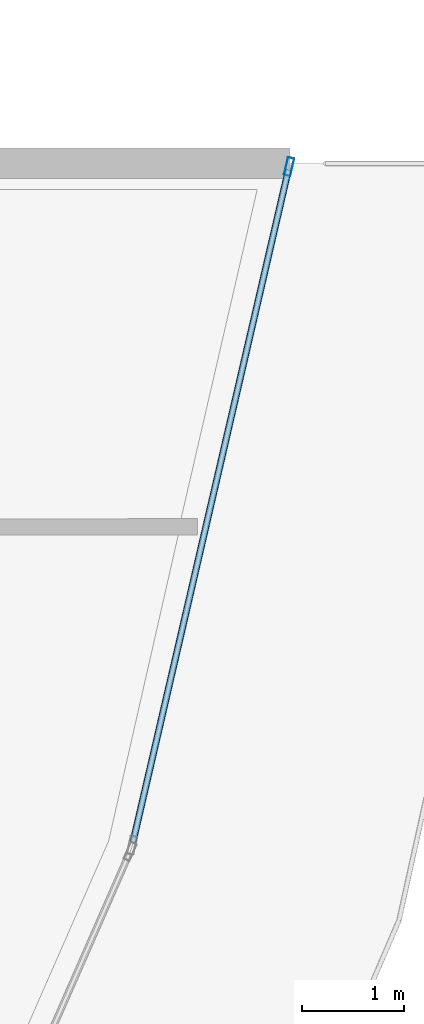
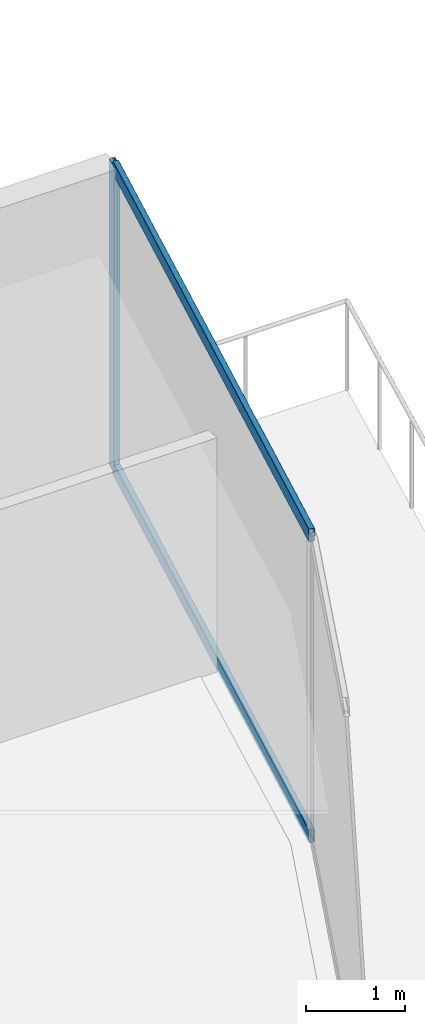
# One storey, part 24 of 42: 3 members, 1 element without a shape of its own.
"""IFC4 building model written with IfcOpenShell, lengths in metres."""

from ifc_helpers import new_model, si_unit, direction, frame, origin, origin_2d, place, context, subcontext, project, spatial, hollow_rectangle, extrude, material, layer, layer_set, material_profile, profile_set, type_object, element, aggregate, save


model = new_model("IFC4")

# Units and contexts
model_context = context("Model", 3, precision=1e-05, world=origin(), true_north=direction((0.0, 1.0)))
body_context = subcontext(model_context, "Body", "Model", "MODEL_VIEW")
ifc_project = project(units=[si_unit("LENGTHUNIT", "METRE"), si_unit("AREAUNIT", "SQUARE_METRE"), si_unit("VOLUMEUNIT", "CUBIC_METRE"), si_unit("PLANEANGLEUNIT", "RADIAN"), si_unit("MASSUNIT", "GRAM", prefix="KILO")], contexts=[model_context])

# Site, building, storey
site_placement = place(None, origin())
site = spatial("IfcSite", under=ifc_project, at=site_placement, CompositionType="ELEMENT")
building_placement = place(site_placement, origin())
building = spatial("IfcBuilding", under=site, at=building_placement, Name="Qorvath Tower", CompositionType="ELEMENT")
storey_placement = place(building_placement, frame((0.0, 0.0, 117.89990234375)))
storey = spatial("IfcBuildingStorey", under=building, at=storey_placement, Name="L26", CompositionType="ELEMENT", Elevation=117.89990234375)

# Curtain wall, members
ifc_material_1 = material(Name="Anodised aluminium and triple low-E glass", Category="aluminium")
ifc_layer = layer(ifc_material_1, 0.179931640625)
ifc_layer_set = layer_set([ifc_layer], Name="CW-SYS-2")
curtain_wall_type = type_object("IfcCurtainWallType", Name="CW-SYS-2", PredefinedType="NOTDEFINED", material=ifc_layer_set)
curtain_wall_placement = place(storey_placement, origin())
curtain_wall = element("IfcCurtainWall", 1, at=curtain_wall_placement, inside=storey, type_object=curtain_wall_type, Name="Curtain Wall CW-2 CW-T-L26-7.1", PredefinedType="NOTDEFINED")
ifc_material_2 = material(Name="Anodised aluminium 6063-T6", Category="aluminium")
ifc_material_profile_1 = material_profile(ifc_material_2, hollow_rectangle(XDim=0.06494140625, YDim=0.179931640625, WallThickness=0.00341796875, InnerFilletRadius=0.00341796875, OuterFilletRadius=0.007080078125, at=origin_2d()), Name="CWM 180x65")
ifc_profile_set_1 = profile_set([ifc_material_profile_1], Name="Anodised aluminium 6063-T6")
member_type_1 = type_object("IfcMemberType", Name="CWM-180", PredefinedType="MULLION", material=ifc_profile_set_1)
member_1_placement = place(storey_placement, frame((4.691650390625, -4.999755859375, 0.0), z_axis=(0.0, 0.0, 1.0), x_axis=(-0.974296356855, 0.225270080166, 0.0)))
member_1 = element("IfcMember", 2, at=member_1_placement, type_object=member_type_1, Name="CW-2 mullion 2", PredefinedType="MULLION", context=body_context, shape_type="SweptSolid", body=[
    extrude(hollow_rectangle(XDim=0.06494140625, YDim=0.179931640625, WallThickness=0.00341796875, InnerFilletRadius=0.00341796875, OuterFilletRadius=0.007080078125, at=origin_2d()), origin(), (0.0, 0.0, 1.0), 3.77001953125),
])
ifc_material_3 = material(Name="Anodised aluminium 6063-T6", Category="aluminium")
ifc_material_profile_2 = material_profile(ifc_material_3, hollow_rectangle(XDim=0.06494140625, YDim=0.159912109375, WallThickness=0.00341796875, InnerFilletRadius=0.00341796875, OuterFilletRadius=0.007080078125, at=origin_2d()), Name="CWT 160x65")
ifc_profile_set_2 = profile_set([ifc_material_profile_2], Name="Anodised aluminium 6063-T6")
member_type_2 = type_object("IfcMemberType", Name="CWT-160", PredefinedType="USERDEFINED", material=ifc_profile_set_2)
member_2_placement = place(storey_placement, frame((3.158935546875, -11.628662109375, 0.032470703125), z_axis=(0.22526763041, 0.974296923268, 0.0), x_axis=(-0.974296923268, 0.22526763041, 0.0)))
member_2 = element("IfcMember", 3, at=member_2_placement, type_object=member_type_2, Name="CW-2 transom 1.1", ObjectType="TRANSOM", PredefinedType="USERDEFINED", context=body_context, shape_type="SweptSolid", body=[
    extrude(hollow_rectangle(XDim=0.06494140625, YDim=0.159912109375, WallThickness=0.00341796875, InnerFilletRadius=0.00341796875, OuterFilletRadius=0.007080078125, at=origin_2d()), origin(), (0.0, 0.0, 1.0), 6.771484375),
])
member_3_placement = place(storey_placement, frame((3.158935546875, -11.628662109375, 3.737548828125), z_axis=(0.22526763041, 0.974296923268, 0.0), x_axis=(-0.974296923268, 0.22526763041, 0.0)))
member_3 = element("IfcMember", 4, at=member_3_placement, type_object=member_type_2, Name="CW-2 transom 1.2", ObjectType="TRANSOM", PredefinedType="USERDEFINED", context=body_context, shape_type="SweptSolid", body=[
    extrude(hollow_rectangle(XDim=0.06494140625, YDim=0.159912109375, WallThickness=0.00341796875, InnerFilletRadius=0.00341796875, OuterFilletRadius=0.007080078125, at=origin_2d()), origin(), (0.0, 0.0, 1.0), 6.771484375),
])
aggregate(curtain_wall, [member_1, member_2, member_3])

save(model, "model.ifc")
